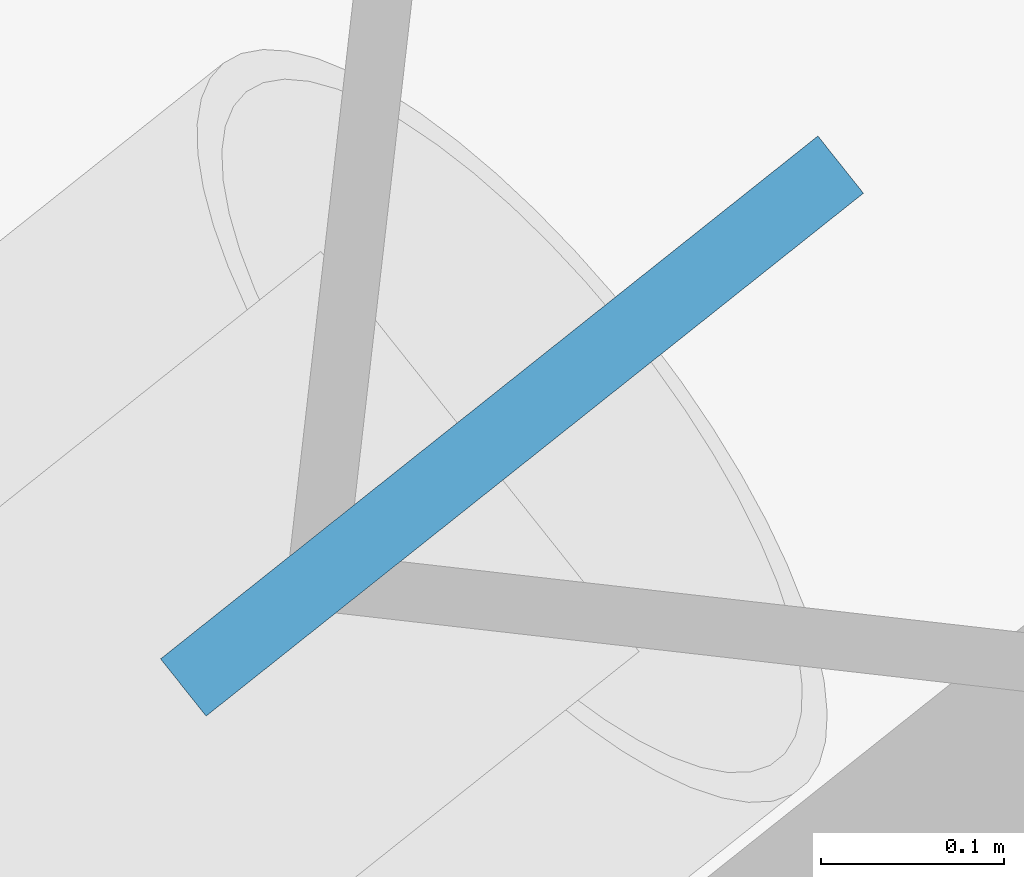
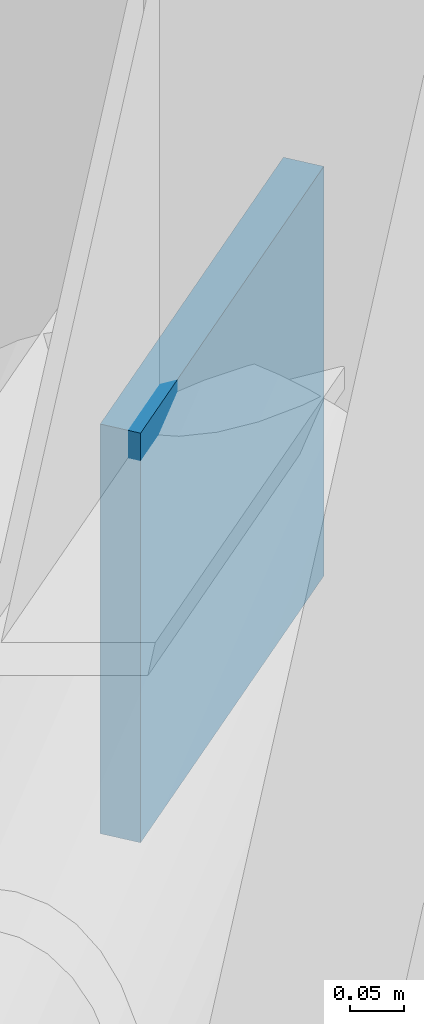
# One storey, part 18 of 21: 1 discrete accessory.
"""IFC4 building model written with IfcOpenShell, lengths in metres."""

from ifc_helpers import new_model, si_unit, direction, frame, origin, origin_2d, place, context, subcontext, project, spatial, rectangle, extrude, material, type_object, element, save


model = new_model("IFC4")

# Units and contexts
model_context = context("Model", 3, precision=1e-05, world=origin(), true_north=direction((0.0, 1.0)))
body_context = subcontext(model_context, "Body", "Model", "MODEL_VIEW")
ifc_project = project(units=[si_unit("LENGTHUNIT", "METRE"), si_unit("AREAUNIT", "SQUARE_METRE"), si_unit("VOLUMEUNIT", "CUBIC_METRE"), si_unit("PLANEANGLEUNIT", "RADIAN"), si_unit("MASSUNIT", "GRAM", prefix="KILO")], contexts=[model_context])

# Site, building, storey
site_placement = place(None, origin())
site = spatial("IfcSite", under=ifc_project, at=site_placement, CompositionType="ELEMENT")
building_placement = place(site_placement, origin())
building = spatial("IfcBuilding", under=site, at=building_placement, Name="Tavrogorsk Clinical Tower", CompositionType="ELEMENT")
storey_placement = place(building_placement, frame((0.0, 0.0, 129.39990234375)))
storey = spatial("IfcBuildingStorey", under=building, at=storey_placement, Name="L29", CompositionType="ELEMENT", Elevation=129.39990234375)

# Discrete accessory
ifc_material = material(Name="Structural steel S440", Category="steel")
discrete_accessory_type = type_object("IfcDiscreteAccessoryType", Name="GussetPlateBracket_25", PredefinedType="BRACKET", material=ifc_material)
discrete_accessory_placement = place(storey_placement, frame((-27.045654296875, 25.592041015625, 2.68505859375), z_axis=(0.0, 0.0, 1.0), x_axis=(0.782608156852, 0.622514636638, 0.0)))
element("IfcDiscreteAccessory", 1, at=discrete_accessory_placement, inside=storey, type_object=discrete_accessory_type, Name="L29 Brace Gusset Plate EXOCRN-L29-3-B", PredefinedType="BRACKET", context=body_context, shape_type="SweptSolid", body=[
    extrude(rectangle(XDim=0.4599609375, YDim=0.0400390625, at=origin_2d()), origin(), (0.0, 0.0, 1.0), 0.4599609375),
])

save(model, "model.ifc")
